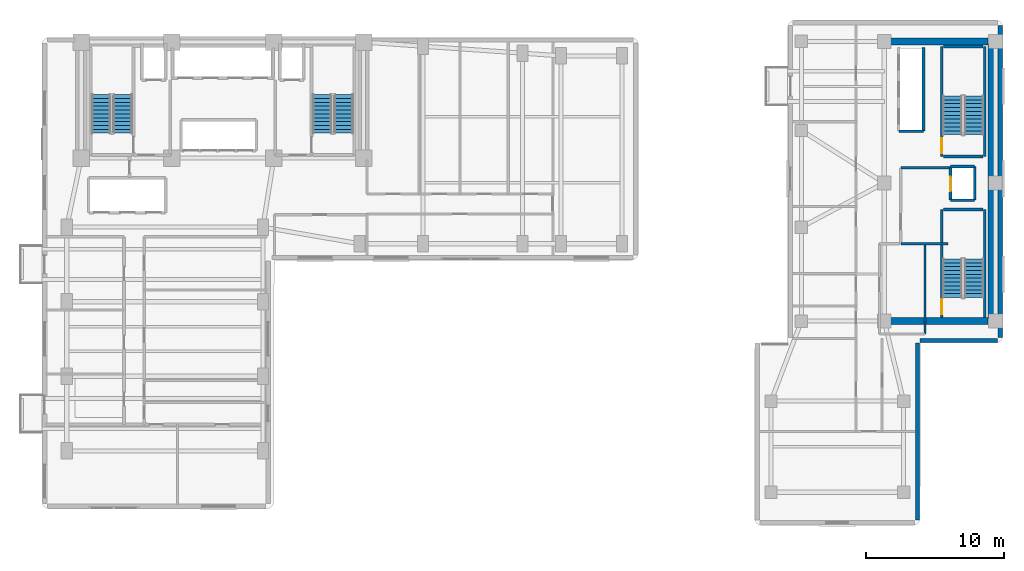
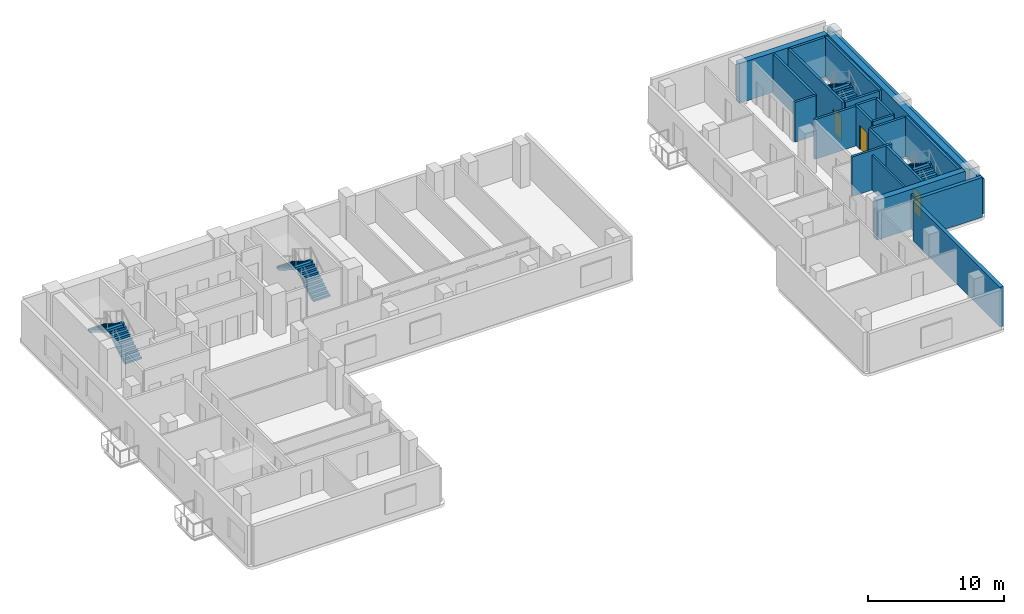
# One storey, part 12 of 16: 22 walls, 8 stair flights, 3 doors, 3 openings, 4 elements without a shape of their own.
"""IFC4 building model written with IfcOpenShell, lengths in metres."""

from ifc_helpers import new_model, si_unit, direction, frame, frame_2d, origin, place, context, subcontext, project, spatial, polyline, rectangle, outline, extrude, material, layer, layer_set, type_object, element, fill, aggregate, save


model = new_model("IFC4")

# Units and contexts
model_context = context("Model", 3, precision=1e-05, world=origin(), true_north=direction((0.0, 1.0)))
body_context = subcontext(model_context, "Body", "Model", "MODEL_VIEW")
ifc_project = project(units=[si_unit("LENGTHUNIT", "METRE"), si_unit("AREAUNIT", "SQUARE_METRE"), si_unit("VOLUMEUNIT", "CUBIC_METRE"), si_unit("PLANEANGLEUNIT", "RADIAN"), si_unit("MASSUNIT", "GRAM", prefix="KILO")], contexts=[model_context])

# Site, building, storey
site_placement = place(None, origin())
site = spatial("IfcSite", under=ifc_project, at=site_placement, CompositionType="ELEMENT")
building_placement = place(site_placement, origin())
building = spatial("IfcBuilding", under=site, at=building_placement, Name="Kuzgunbayir Cultural Tower", CompositionType="ELEMENT")
storey_placement = place(building_placement, frame((0.0, 0.0, 75.60009765625)))
storey = spatial("IfcBuildingStorey", under=building, at=storey_placement, Name="L21", CompositionType="ELEMENT", Elevation=75.60009765625)

# Walls
ifc_material_1 = material(Name="Anatolian Cream Limestone", Category="masonry")
ifc_layer_1 = layer(ifc_material_1, 0.300048828125)
ifc_layer_set_1 = layer_set([ifc_layer_1], Name="Anatolian Cream Limestone")
wall_type_1 = type_object("IfcWallType", Name="WAL-EXT-STONE-300", PredefinedType="STANDARD", material=ifc_layer_set_1)
wall_1_placement = place(storey_placement, frame((73.0, 20.800048828125, 0.0), z_axis=(0.0, 0.0, 1.0), x_axis=(0.0, 1.0, 0.0)))
element("IfcWall", 1, at=wall_1_placement, inside=storey, type_object=wall_type_1, Name="L21 Companion East Limestone Wall", PredefinedType="STANDARD", context=body_context, shape_type="SweptSolid", body=[
    extrude(rectangle(XDim=22.599853515625, YDim=0.300048828125, at=frame_2d((11.2998046875, 0.0))), origin(), (0.0, 0.0, 1.0), 3.139892578125),
])
wall_2_placement = place(storey_placement, frame((67.0, 7.60009765625, 0.0), z_axis=(0.0, 0.0, 1.0), x_axis=(0.0, 1.0, 0.0)))
element("IfcWall", 2, at=wall_2_placement, inside=storey, type_object=wall_type_1, Name="L21 Companion Wing B East Wall", PredefinedType="STANDARD", context=body_context, shape_type="SweptSolid", body=[
    extrude(rectangle(XDim=12.7998046875, YDim=0.300048828125, at=frame_2d((6.39990234375, 0.0))), origin(), (0.0, 0.0, 1.0), 3.559814453125),
])
wall_3_placement = place(storey_placement, frame((67.199951171875, 20.60009765625, 0.0), z_axis=(0.0, 0.0, 1.0), x_axis=(1.0, 0.0, 0.0)))
element("IfcWall", 3, at=wall_3_placement, inside=storey, type_object=wall_type_1, Name="L21 Companion South-East Link", PredefinedType="STANDARD", context=body_context, shape_type="SweptSolid", body=[
    extrude(rectangle(XDim=5.60009765625, YDim=0.300048828125, at=frame_2d((2.800048828125, 0.0))), origin(), (0.0, 0.0, 1.0), 3.559814453125),
])
ifc_material_2 = material(Name="Acoustic Double-Stud Drywall", Category="gypsum")
ifc_layer_2 = layer(ifc_material_2, 0.14990234375)
ifc_layer_set_2 = layer_set([ifc_layer_2], Name="Acoustic Double-Stud Drywall")
wall_type_2 = type_object("IfcWallType", Name="WAL-PART-ACOUSTIC-150", PredefinedType="PARTITIONING", material=ifc_layer_set_2)
wall_4_placement = place(storey_placement, frame((67.550048828125, 21.050048828125, 0.0), z_axis=(0.0, 0.0, 1.0), x_axis=(0.0, 1.0, 0.0)))
element("IfcWall", 4, at=wall_4_placement, inside=storey, type_object=wall_type_2, Name="L21 Companion Archive East Wall", PredefinedType="PARTITIONING", context=body_context, shape_type="SweptSolid", body=[
    extrude(rectangle(XDim=6.469970703125, YDim=0.14990234375, at=frame_2d((3.23486328125, 0.0))), origin(), (0.0, 0.0, 1.0), 3.139892578125),
])
ifc_material_3 = material(Name="Aerated Concrete Blockwork", Category="masonry")
ifc_layer_3 = layer(ifc_material_3, 0.199951171875)
ifc_layer_set_3 = layer_set([ifc_layer_3], Name="Aerated Concrete Blockwork")
wall_type_3 = type_object("IfcWallType", Name="WAL-PART-FIRE-200", PredefinedType="PARTITIONING", material=ifc_layer_set_3)
wall_5_placement = place(storey_placement, frame((65.800048828125, 33.10009765625, 0.0), z_axis=(0.0, 0.0, 1.0), x_axis=(1.0, 0.0, 0.0)))
element("IfcWall", 5, at=wall_5_placement, inside=storey, type_object=wall_type_3, Name="L21 FFL-3 Lobby North Fire Wall", PredefinedType="PARTITIONING", context=body_context, shape_type="SweptSolid", body=[
    extrude(rectangle(XDim=3.599853515625, YDim=0.199951171875, at=frame_2d((1.7998046875, 0.0))), origin(), (0.0, 0.0, 1.0), 3.559814453125),
])
wall_6_placement = place(storey_placement, frame((65.800048828125, 27.60009765625, 0.0), z_axis=(0.0, 0.0, 1.0), x_axis=(1.0, 0.0, 0.0)))
element("IfcWall", 6, at=wall_6_placement, inside=storey, type_object=wall_type_3, Name="L21 FFL-3 Lobby South Fire Wall", PredefinedType="PARTITIONING", context=body_context, shape_type="SweptSolid", body=[
    extrude(rectangle(XDim=3.39990234375, YDim=0.199951171875, at=frame_2d((1.699951171875, 0.0))), origin(), (0.0, 0.0, 1.0), 3.559814453125),
])
ifc_material_4 = material(Name="Concrete C40/50", Category="concrete")
ifc_layer_4 = layer(ifc_material_4, 0.199951171875)
ifc_layer_set_4 = layer_set([ifc_layer_4], Name="Concrete C40/50")
wall_type_4 = type_object("IfcWallType", Name="WAL-SHAFT-200", PredefinedType="MOVABLE", material=ifc_layer_set_4)
wall_7_placement = place(storey_placement, frame((67.449951171875, 35.75, 0.0), z_axis=(0.0, 0.0, 1.0), x_axis=(0.0, 1.0, 0.0)))
element("IfcWall", 7, at=wall_7_placement, inside=storey, type_object=wall_type_4, Name="L21 Companion Lift Shaft Back Wall", PredefinedType="MOVABLE", context=body_context, shape_type="SweptSolid", body=[
    extrude(rectangle(XDim=6.050048828125, YDim=0.199951171875, at=frame_2d((3.02490234375, 0.0))), origin(), (0.0, 0.0, 1.0), 3.559814453125),
])
wall_8_placement = place(storey_placement, frame((65.64990234375, 35.75, 0.0), z_axis=(0.0, 0.0, 1.0), x_axis=(1.0, 0.0, 0.0)))
element("IfcWall", 8, at=wall_8_placement, inside=storey, type_object=wall_type_4, Name="L21 Companion Lift Shaft South Wall", PredefinedType="MOVABLE", context=body_context, shape_type="SweptSolid", body=[
    extrude(rectangle(XDim=1.800048828125, YDim=0.199951171875, at=frame_2d((0.89990234375, 0.0))), origin(), (0.0, 0.0, 1.0), 3.559814453125),
])

# Wall, opening, door
wall_9_placement = place(storey_placement, frame((69.39990234375, 30.75, 0.0), z_axis=(0.0, 0.0, 1.0), x_axis=(0.0, 1.0, 0.0)))
wall_9 = element("IfcWall", 9, at=wall_9_placement, inside=storey, type_object=wall_type_4, Name="L21 FFL-3 Lift Front Wall", PredefinedType="MOVABLE", context=body_context, shape_type="SweptSolid", body=[
    extrude(rectangle(XDim=2.449951171875, YDim=0.199951171875, at=frame_2d((1.22509765625, 0.0))), origin(), (0.0, 0.0, 1.0), 3.559814453125),
])
opening_1_placement = place(wall_9_placement, frame((0.64990234375, 0.0, 0.0)))
opening_1 = element("IfcOpeningElement", 10, at=opening_1_placement, cuts=wall_9, Name="Opening LD", PredefinedType="OPENING", context=body_context, shape_type="SweptSolid", body=[
    extrude(rectangle(XDim=1.050048828125, YDim=2.14990234375, at=frame_2d((0.52490234375, 1.074951171875))), frame((0.0, 0.10986328125, 0.0), z_axis=(0.0, -1.0, 0.0), x_axis=(1.0, 0.0, 0.0)), (0.0, 0.0, 1.0), 0.219970703125),
])
ifc_material_5 = material(Name="Brushed Stainless Steel", Category="steel")
door_type_1 = type_object("IfcDoorType", Name="DR-LIFT-LANDING", OperationType="SLIDING_TO_LEFT", PredefinedType="DOOR", material=ifc_material_5)
door_1_placement = place(opening_1_placement, origin())
door_1 = element("IfcDoor", 11, at=door_1_placement, inside=storey, type_object=door_type_1, Name="L21 Lift FFL-3 Landing Door", OperationType="SLIDING_TO_LEFT", OverallHeight=2.14990234375, OverallWidth=1.050048828125, PredefinedType="DOOR", context=body_context, shape_type="SweptSolid", body=[
    extrude(rectangle(XDim=1.050048828125, YDim=2.14990234375, at=frame_2d((0.52490234375, 1.074951171875))), frame((0.0, 0.02490234375, 0.0), z_axis=(0.0, -1.0, 0.0), x_axis=(1.0, 0.0, 0.0)), (0.0, 0.0, 1.0), 0.050048828125),
])
fill(opening_1, door_1)

# Walls
wall_10_placement = place(storey_placement, frame((71.14990234375, 30.75, 0.0), z_axis=(0.0, 0.0, 1.0), x_axis=(0.0, 1.0, 0.0)))
element("IfcWall", 12, at=wall_10_placement, inside=storey, type_object=wall_type_4, Name="L21 FFL-3 Shaft Back Wall", PredefinedType="MOVABLE", context=body_context, shape_type="SweptSolid", body=[
    extrude(rectangle(XDim=2.449951171875, YDim=0.199951171875, at=frame_2d((1.22509765625, 0.0))), origin(), (0.0, 0.0, 1.0), 3.559814453125),
])
for number, where, z_axis, x_axis, name in (
    (13, (69.39990234375, 33.199951171875, 0.0), (0.0, 0.0, 1.0), (1.0, 0.0, 0.0), "L21 FFL-3 Shaft North Wall"),
    (14, (69.39990234375, 30.75, 0.0), (0.0, 0.0, 1.0), (1.0, 0.0, 0.0), "L21 FFL-3 Shaft South Wall"),
):
    element("IfcWall", number, at=place(storey_placement, frame(where, z_axis=z_axis, x_axis=x_axis)), inside=storey, type_object=wall_type_4, Name=name, PredefinedType="MOVABLE", context=body_context, shape_type="SweptSolid", body=[
        extrude(rectangle(XDim=1.75, YDim=0.199951171875, at=frame_2d((0.875, 0.0))), origin(), (0.0, 0.0, 1.0), 3.559814453125),
    ])

# Wall, opening, door
ifc_layer_5 = layer(ifc_material_4, 0.199951171875)
ifc_layer_set_5 = layer_set([ifc_layer_5], Name="Concrete C40/50")
wall_type_5 = type_object("IfcWallType", Name="WAL-STAIR-RC-200", PredefinedType="SHEAR", material=ifc_layer_set_5)
wall_11_placement = place(storey_placement, frame((68.760009765625, 22.260009765625, 0.0), z_axis=(0.0, 0.0, 1.0), x_axis=(0.0, 1.0, 0.0)))
wall_11 = element("IfcWall", 15, at=wall_11_placement, inside=storey, type_object=wall_type_5, Name="L21 Stair ST-3 West Structural Wall", PredefinedType="SHEAR", context=body_context, shape_type="SweptSolid", body=[
    extrude(rectangle(XDim=7.820068359375, YDim=0.199951171875, at=frame_2d((3.91015625, 0.0))), origin(), (0.0, 0.0, 1.0), 3.559814453125),
])
opening_2_placement = place(wall_11_placement, frame((0.219970703125, 0.0, 0.0)))
opening_2 = element("IfcOpeningElement", 16, at=opening_2_placement, cuts=wall_11, Name="Opening DR-STAIR-90", PredefinedType="OPENING", context=body_context, shape_type="SweptSolid", body=[
    extrude(rectangle(XDim=1.10009765625, YDim=2.14990234375, at=frame_2d((0.550048828125, 1.074951171875))), frame((0.0, 0.10986328125, 0.0), z_axis=(0.0, -1.0, 0.0), x_axis=(1.0, 0.0, 0.0)), (0.0, 0.0, 1.0), 0.219970703125),
])
ifc_material_6 = material(Name="Steel S355J2", Category="steel")
door_type_2 = type_object("IfcDoorType", Name="DR-STAIR-90", OperationType="NOTDEFINED", PredefinedType="DOOR", material=ifc_material_6)
door_2_placement = place(opening_2_placement, origin())
door_2 = element("IfcDoor", 17, at=door_2_placement, inside=storey, type_object=door_type_2, Name="L21 Stair ST-3 Fire Door", OperationType="SINGLE_SWING_LEFT", OverallHeight=2.14990234375, OverallWidth=1.10009765625, PredefinedType="DOOR", context=body_context, shape_type="SweptSolid", body=[
    extrude(rectangle(XDim=1.10009765625, YDim=2.14990234375, at=frame_2d((0.550048828125, 1.074951171875))), frame((0.0, 0.02490234375, 0.0), z_axis=(0.0, -1.0, 0.0), x_axis=(1.0, 0.0, 0.0)), (0.0, 0.0, 1.0), 0.050048828125),
])
fill(opening_2, door_2)

# Walls
wall_12_placement = place(storey_placement, frame((71.8798828125, 22.260009765625, 0.0), z_axis=(0.0, 0.0, 1.0), x_axis=(0.0, 1.0, 0.0)))
element("IfcWall", 18, at=wall_12_placement, inside=storey, type_object=wall_type_5, Name="L21 Stair ST-3 East Structural Wall", PredefinedType="SHEAR", context=body_context, shape_type="SweptSolid", body=[
    extrude(rectangle(XDim=7.820068359375, YDim=0.199951171875, at=frame_2d((3.91015625, 0.0))), origin(), (0.0, 0.0, 1.0), 3.559814453125),
])
wall_13_placement = place(storey_placement, frame((68.8798828125, 30.080078125, 0.0), z_axis=(0.0, 0.0, 1.0), x_axis=(1.0, 0.0, 0.0)))
element("IfcWall", 19, at=wall_13_placement, inside=storey, type_object=wall_type_5, Name="L21 Stair ST-3 North Structural Wall", PredefinedType="SHEAR", context=body_context, shape_type="SweptSolid", body=[
    extrude(rectangle(XDim=2.880126953125, YDim=0.199951171875, at=frame_2d((1.43994140625, 0.0))), origin(), (0.0, 0.0, 1.0), 3.559814453125),
])

# Wall, opening, door
wall_14_placement = place(storey_placement, frame((68.760009765625, 33.919921875, 0.0), z_axis=(0.0, 0.0, 1.0), x_axis=(0.0, 1.0, 0.0)))
wall_14 = element("IfcWall", 20, at=wall_14_placement, inside=storey, type_object=wall_type_5, Name="L21 Stair ST-4 West Structural Wall", PredefinedType="SHEAR", context=body_context, shape_type="SweptSolid", body=[
    extrude(rectangle(XDim=7.9599609375, YDim=0.199951171875, at=frame_2d((3.97998046875, 0.0))), origin(), (0.0, 0.0, 1.0), 3.559814453125),
])
opening_3_placement = place(wall_14_placement, frame((0.219970703125, 0.0, 0.0)))
opening_3 = element("IfcOpeningElement", 21, at=opening_3_placement, cuts=wall_14, Name="Opening DR-STAIR-90", PredefinedType="OPENING", context=body_context, shape_type="SweptSolid", body=[
    extrude(rectangle(XDim=1.10009765625, YDim=2.14990234375, at=frame_2d((0.550048828125, 1.074951171875))), frame((0.0, 0.10986328125, 0.0), z_axis=(0.0, -1.0, 0.0), x_axis=(1.0, 0.0, 0.0)), (0.0, 0.0, 1.0), 0.219970703125),
])
door_3_placement = place(opening_3_placement, origin())
door_3 = element("IfcDoor", 22, at=door_3_placement, inside=storey, type_object=door_type_2, Name="L21 Stair ST-4 Fire Door", OperationType="SINGLE_SWING_RIGHT", OverallHeight=2.14990234375, OverallWidth=1.10009765625, PredefinedType="DOOR", context=body_context, shape_type="SweptSolid", body=[
    extrude(rectangle(XDim=1.10009765625, YDim=2.14990234375, at=frame_2d((0.550048828125, 1.074951171875))), frame((0.0, 0.02490234375, 0.0), z_axis=(0.0, -1.0, 0.0), x_axis=(1.0, 0.0, 0.0)), (0.0, 0.0, 1.0), 0.050048828125),
])
fill(opening_3, door_3)

# Walls
wall_15_placement = place(storey_placement, frame((71.8798828125, 33.919921875, 0.0), z_axis=(0.0, 0.0, 1.0), x_axis=(0.0, 1.0, 0.0)))
element("IfcWall", 23, at=wall_15_placement, inside=storey, type_object=wall_type_5, Name="L21 Stair ST-4 East Structural Wall", PredefinedType="SHEAR", context=body_context, shape_type="SweptSolid", body=[
    extrude(rectangle(XDim=7.9599609375, YDim=0.199951171875, at=frame_2d((3.97998046875, 0.0))), origin(), (0.0, 0.0, 1.0), 3.559814453125),
])
for number, where, z_axis, x_axis, name in (
    (24, (68.8798828125, 41.8798828125, 0.0), (0.0, 0.0, 1.0), (1.0, 0.0, 0.0), "L21 Stair ST-4 North Structural Wall"),
    (25, (68.8798828125, 33.919921875, 0.0), (0.0, 0.0, 1.0), (1.0, 0.0, 0.0), "L21 Stair ST-4 South Structural Wall"),
):
    element("IfcWall", number, at=place(storey_placement, frame(where, z_axis=z_axis, x_axis=x_axis)), inside=storey, type_object=wall_type_5, Name=name, PredefinedType="SHEAR", context=body_context, shape_type="SweptSolid", body=[
        extrude(rectangle(XDim=2.880126953125, YDim=0.199951171875, at=frame_2d((1.43994140625, 0.0))), origin(), (0.0, 0.0, 1.0), 3.559814453125),
    ])
ifc_material_7 = material(Name="Concrete C60/75", Category="concrete")
ifc_layer_6 = layer(ifc_material_7, 0.5)
ifc_layer_set_6 = layer_set([ifc_layer_6], Name="Concrete C60/75")
wall_type_6 = type_object("IfcWallType", Name="WAL-T2-CORE-500", PredefinedType="SHEAR", material=ifc_layer_set_6)
wall_16_placement = place(storey_placement, frame((72.35009765625, 22.0, 0.0), z_axis=(0.0, 0.0, 1.0), x_axis=(0.0, 1.0, 0.0)))
element("IfcWall", 26, at=wall_16_placement, inside=storey, type_object=wall_type_6, Name="L21 Companion Core East Shear Wall", PredefinedType="SHEAR", context=body_context, shape_type="SweptSolid", body=[
    extrude(rectangle(XDim=20.25, YDim=0.5, at=frame_2d((10.125, 0.0))), origin(), (0.0, 0.0, 1.0), 3.559814453125),
])
for number, where, z_axis, x_axis, name in (
    (27, (64.60009765625, 42.25, 0.0), (0.0, 0.0, 1.0), (1.0, 0.0, 0.0), "L21 Companion Core North Shear Wall"),
    (28, (64.60009765625, 22.0, 0.0), (0.0, 0.0, 1.0), (1.0, 0.0, 0.0), "L21 Companion Core South Shear Wall"),
):
    element("IfcWall", number, at=place(storey_placement, frame(where, z_axis=z_axis, x_axis=x_axis)), inside=storey, type_object=wall_type_6, Name=name, PredefinedType="SHEAR", context=body_context, shape_type="SweptSolid", body=[
        extrude(rectangle(XDim=7.5, YDim=0.5, at=frame_2d((3.75, 0.0))), origin(), (0.0, 0.0, 1.0), 3.559814453125),
    ])

# Stair, stair flights
stair_type = type_object("IfcStairType", Name="STR-EXIT-CORE", PredefinedType="HALF_TURN_STAIR", material=ifc_material_4)
stair_1_placement = place(storey_placement, origin())
stair_1 = element("IfcStair", 29, at=stair_1_placement, inside=storey, type_object=stair_type, Name="L21 ST-1", PredefinedType="HALF_TURN_STAIR")
stair_flight_type = type_object("IfcStairFlightType", Name="STRF-RC-140", PredefinedType="STRAIGHT", material=ifc_material_4)
stair_flight_1_placement = place(storey_placement, frame((9.4599609375, 35.60009765625, 0.0), z_axis=(0.0, 0.0, 1.0), x_axis=(0.0, 1.0, 0.0)))
stair_flight_1 = element("IfcStairFlight", 30, at=stair_flight_1_placement, type_object=stair_flight_type, Name="ST-1 flight 1", NumberOfRisers=11, NumberOfTreads=10, PredefinedType="STRAIGHT", RiserHeight=0.172727273, TreadLength=0.28, context=body_context, shape_type="SweptSolid", body=[
    extrude(outline(polyline([(0.0, 0.0), (0.0, 0.172607421875), (0.280029296875, 0.172607421875), (0.280029296875, 0.345458984375), (0.56005859375, 0.345458984375), (0.56005859375, 0.51806640625), (0.840087890625, 0.51806640625), (0.840087890625, 0.69091796875), (1.1201171875, 0.69091796875), (1.1201171875, 0.863525390625), (1.39990234375, 0.863525390625), (1.39990234375, 1.036376953125), (1.679931640625, 1.036376953125), (1.679931640625, 1.208984375), (1.9599609375, 1.208984375), (1.9599609375, 1.3818359375), (2.239990234375, 1.3818359375), (2.239990234375, 1.554443359375), (2.52001953125, 1.554443359375), (2.52001953125, 1.727294921875), (2.800048828125, 1.727294921875), (2.800048828125, 1.89990234375), (2.800048828125, 1.515869140625), (0.3427734375, 0.0), (0.0, 0.0)])), frame((0.0, 0.699951171875, 0.0), z_axis=(0.0, -1.0, 0.0), x_axis=(1.0, 0.0, 0.0)), (0.0, 0.0, 1.0), 1.39990234375),
])
stair_flight_2_placement = place(storey_placement, frame((7.89990234375, 38.39990234375, 1.89990234375), z_axis=(0.0, 0.0, 1.0), x_axis=(0.0, -1.0, 0.0)))
stair_flight_2 = element("IfcStairFlight", 31, at=stair_flight_2_placement, type_object=stair_flight_type, Name="ST-1 flight 2", NumberOfRisers=11, NumberOfTreads=10, PredefinedType="STRAIGHT", RiserHeight=0.172727273, TreadLength=0.28, context=body_context, shape_type="SweptSolid", body=[
    extrude(outline(polyline([(0.0, 0.0), (0.0, 0.172607421875), (0.280029296875, 0.172607421875), (0.280029296875, 0.345458984375), (0.56005859375, 0.345458984375), (0.56005859375, 0.51806640625), (0.840087890625, 0.51806640625), (0.840087890625, 0.69091796875), (1.1201171875, 0.69091796875), (1.1201171875, 0.863525390625), (1.39990234375, 0.863525390625), (1.39990234375, 1.036376953125), (1.679931640625, 1.036376953125), (1.679931640625, 1.208984375), (1.9599609375, 1.208984375), (1.9599609375, 1.3818359375), (2.239990234375, 1.3818359375), (2.239990234375, 1.554443359375), (2.52001953125, 1.554443359375), (2.52001953125, 1.727294921875), (2.800048828125, 1.727294921875), (2.800048828125, 1.89990234375), (2.800048828125, 1.515869140625), (0.3427734375, 0.0), (0.0, 0.0)])), frame((0.0, 0.699951171875, 0.0), z_axis=(0.0, -1.0, 0.0), x_axis=(1.0, 0.0, 0.0)), (0.0, 0.0, 1.0), 1.39990234375),
])
aggregate(stair_1, [stair_flight_1, stair_flight_2])

stair_2_placement = place(storey_placement, origin())
stair_2 = element("IfcStair", 32, at=stair_2_placement, inside=storey, type_object=stair_type, Name="L21 ST-2", PredefinedType="HALF_TURN_STAIR")
stair_flight_3_placement = place(storey_placement, frame((25.4599609375, 35.60009765625, 0.0), z_axis=(0.0, 0.0, 1.0), x_axis=(0.0, 1.0, 0.0)))
stair_flight_3 = element("IfcStairFlight", 33, at=stair_flight_3_placement, type_object=stair_flight_type, Name="ST-2 flight 1", NumberOfRisers=11, NumberOfTreads=10, PredefinedType="STRAIGHT", RiserHeight=0.172727273, TreadLength=0.28, context=body_context, shape_type="SweptSolid", body=[
    extrude(outline(polyline([(0.0, 0.0), (0.0, 0.172607421875), (0.280029296875, 0.172607421875), (0.280029296875, 0.345458984375), (0.56005859375, 0.345458984375), (0.56005859375, 0.51806640625), (0.840087890625, 0.51806640625), (0.840087890625, 0.69091796875), (1.1201171875, 0.69091796875), (1.1201171875, 0.863525390625), (1.39990234375, 0.863525390625), (1.39990234375, 1.036376953125), (1.679931640625, 1.036376953125), (1.679931640625, 1.208984375), (1.9599609375, 1.208984375), (1.9599609375, 1.3818359375), (2.239990234375, 1.3818359375), (2.239990234375, 1.554443359375), (2.52001953125, 1.554443359375), (2.52001953125, 1.727294921875), (2.800048828125, 1.727294921875), (2.800048828125, 1.89990234375), (2.800048828125, 1.515869140625), (0.3427734375, 0.0), (0.0, 0.0)])), frame((0.0, 0.699951171875, 0.0), z_axis=(0.0, -1.0, 0.0), x_axis=(1.0, 0.0, 0.0)), (0.0, 0.0, 1.0), 1.39990234375),
])
stair_flight_4_placement = place(storey_placement, frame((23.89990234375, 38.39990234375, 1.89990234375), z_axis=(0.0, 0.0, 1.0), x_axis=(0.0, -1.0, 0.0)))
stair_flight_4 = element("IfcStairFlight", 34, at=stair_flight_4_placement, type_object=stair_flight_type, Name="ST-2 flight 2", NumberOfRisers=11, NumberOfTreads=10, PredefinedType="STRAIGHT", RiserHeight=0.172727273, TreadLength=0.28, context=body_context, shape_type="SweptSolid", body=[
    extrude(outline(polyline([(0.0, 0.0), (0.0, 0.172607421875), (0.280029296875, 0.172607421875), (0.280029296875, 0.345458984375), (0.56005859375, 0.345458984375), (0.56005859375, 0.51806640625), (0.840087890625, 0.51806640625), (0.840087890625, 0.69091796875), (1.1201171875, 0.69091796875), (1.1201171875, 0.863525390625), (1.39990234375, 0.863525390625), (1.39990234375, 1.036376953125), (1.679931640625, 1.036376953125), (1.679931640625, 1.208984375), (1.9599609375, 1.208984375), (1.9599609375, 1.3818359375), (2.239990234375, 1.3818359375), (2.239990234375, 1.554443359375), (2.52001953125, 1.554443359375), (2.52001953125, 1.727294921875), (2.800048828125, 1.727294921875), (2.800048828125, 1.89990234375), (2.800048828125, 1.515869140625), (0.3427734375, 0.0), (0.0, 0.0)])), frame((0.0, 0.699951171875, 0.0), z_axis=(0.0, -1.0, 0.0), x_axis=(1.0, 0.0, 0.0)), (0.0, 0.0, 1.0), 1.39990234375),
])
aggregate(stair_2, [stair_flight_3, stair_flight_4])

stair_3_placement = place(storey_placement, origin())
stair_3 = element("IfcStair", 35, at=stair_3_placement, inside=storey, type_object=stair_type, Name="L21 ST-3", PredefinedType="HALF_TURN_STAIR")
stair_flight_5_placement = place(storey_placement, frame((71.10009765625, 23.699951171875, 0.0), z_axis=(0.0, 0.0, 1.0), x_axis=(0.0, 1.0, 0.0)))
stair_flight_5 = element("IfcStairFlight", 36, at=stair_flight_5_placement, type_object=stair_flight_type, Name="ST-3 flight 1", NumberOfRisers=11, NumberOfTreads=10, PredefinedType="STRAIGHT", RiserHeight=0.172727273, TreadLength=0.28, context=body_context, shape_type="SweptSolid", body=[
    extrude(outline(polyline([(0.0, 0.0), (0.0, 0.172607421875), (0.280029296875, 0.172607421875), (0.280029296875, 0.345458984375), (0.56005859375, 0.345458984375), (0.56005859375, 0.51806640625), (0.840087890625, 0.51806640625), (0.840087890625, 0.69091796875), (1.1201171875, 0.69091796875), (1.1201171875, 0.863525390625), (1.39990234375, 0.863525390625), (1.39990234375, 1.036376953125), (1.679931640625, 1.036376953125), (1.679931640625, 1.208984375), (1.9599609375, 1.208984375), (1.9599609375, 1.3818359375), (2.239990234375, 1.3818359375), (2.239990234375, 1.554443359375), (2.52001953125, 1.554443359375), (2.52001953125, 1.727294921875), (2.800048828125, 1.727294921875), (2.800048828125, 1.89990234375), (2.800048828125, 1.515869140625), (0.3427734375, 0.0), (0.0, 0.0)])), frame((0.0, 0.699951171875, 0.0), z_axis=(0.0, -1.0, 0.0), x_axis=(1.0, 0.0, 0.0)), (0.0, 0.0, 1.0), 1.39990234375),
])
stair_flight_6_placement = place(storey_placement, frame((69.5400390625, 26.5, 1.89990234375), z_axis=(0.0, 0.0, 1.0), x_axis=(0.0, -1.0, 0.0)))
stair_flight_6 = element("IfcStairFlight", 37, at=stair_flight_6_placement, type_object=stair_flight_type, Name="ST-3 flight 2", NumberOfRisers=11, NumberOfTreads=10, PredefinedType="STRAIGHT", RiserHeight=0.172727273, TreadLength=0.28, context=body_context, shape_type="SweptSolid", body=[
    extrude(outline(polyline([(0.0, 0.0), (0.0, 0.172607421875), (0.280029296875, 0.172607421875), (0.280029296875, 0.345458984375), (0.56005859375, 0.345458984375), (0.56005859375, 0.51806640625), (0.840087890625, 0.51806640625), (0.840087890625, 0.69091796875), (1.1201171875, 0.69091796875), (1.1201171875, 0.863525390625), (1.39990234375, 0.863525390625), (1.39990234375, 1.036376953125), (1.679931640625, 1.036376953125), (1.679931640625, 1.208984375), (1.9599609375, 1.208984375), (1.9599609375, 1.3818359375), (2.239990234375, 1.3818359375), (2.239990234375, 1.554443359375), (2.52001953125, 1.554443359375), (2.52001953125, 1.727294921875), (2.800048828125, 1.727294921875), (2.800048828125, 1.89990234375), (2.800048828125, 1.515869140625), (0.3427734375, 0.0), (0.0, 0.0)])), frame((0.0, 0.699951171875, 0.0), z_axis=(0.0, -1.0, 0.0), x_axis=(1.0, 0.0, 0.0)), (0.0, 0.0, 1.0), 1.39990234375),
])
aggregate(stair_3, [stair_flight_5, stair_flight_6])

stair_4_placement = place(storey_placement, origin())
stair_4 = element("IfcStair", 38, at=stair_4_placement, inside=storey, type_object=stair_type, Name="L21 ST-4", PredefinedType="HALF_TURN_STAIR")
stair_flight_7_placement = place(storey_placement, frame((71.10009765625, 35.5, 0.0), z_axis=(0.0, 0.0, 1.0), x_axis=(0.0, 1.0, 0.0)))
stair_flight_7 = element("IfcStairFlight", 39, at=stair_flight_7_placement, type_object=stair_flight_type, Name="ST-4 flight 1", NumberOfRisers=11, NumberOfTreads=10, PredefinedType="STRAIGHT", RiserHeight=0.172727273, TreadLength=0.28, context=body_context, shape_type="SweptSolid", body=[
    extrude(outline(polyline([(0.0, 0.0), (0.0, 0.172607421875), (0.280029296875, 0.172607421875), (0.280029296875, 0.345458984375), (0.56005859375, 0.345458984375), (0.56005859375, 0.51806640625), (0.840087890625, 0.51806640625), (0.840087890625, 0.69091796875), (1.1201171875, 0.69091796875), (1.1201171875, 0.863525390625), (1.39990234375, 0.863525390625), (1.39990234375, 1.036376953125), (1.679931640625, 1.036376953125), (1.679931640625, 1.208984375), (1.9599609375, 1.208984375), (1.9599609375, 1.3818359375), (2.239990234375, 1.3818359375), (2.239990234375, 1.554443359375), (2.52001953125, 1.554443359375), (2.52001953125, 1.727294921875), (2.800048828125, 1.727294921875), (2.800048828125, 1.89990234375), (2.800048828125, 1.515869140625), (0.3427734375, 0.0), (0.0, 0.0)])), frame((0.0, 0.699951171875, 0.0), z_axis=(0.0, -1.0, 0.0), x_axis=(1.0, 0.0, 0.0)), (0.0, 0.0, 1.0), 1.39990234375),
])
stair_flight_8_placement = place(storey_placement, frame((69.5400390625, 38.300048828125, 1.89990234375), z_axis=(0.0, 0.0, 1.0), x_axis=(0.0, -1.0, 0.0)))
stair_flight_8 = element("IfcStairFlight", 40, at=stair_flight_8_placement, type_object=stair_flight_type, Name="ST-4 flight 2", NumberOfRisers=11, NumberOfTreads=10, PredefinedType="STRAIGHT", RiserHeight=0.172727273, TreadLength=0.28, context=body_context, shape_type="SweptSolid", body=[
    extrude(outline(polyline([(0.0, 0.0), (0.0, 0.172607421875), (0.280029296875, 0.172607421875), (0.280029296875, 0.345458984375), (0.56005859375, 0.345458984375), (0.56005859375, 0.51806640625), (0.840087890625, 0.51806640625), (0.840087890625, 0.69091796875), (1.1201171875, 0.69091796875), (1.1201171875, 0.863525390625), (1.39990234375, 0.863525390625), (1.39990234375, 1.036376953125), (1.679931640625, 1.036376953125), (1.679931640625, 1.208984375), (1.9599609375, 1.208984375), (1.9599609375, 1.3818359375), (2.239990234375, 1.3818359375), (2.239990234375, 1.554443359375), (2.52001953125, 1.554443359375), (2.52001953125, 1.727294921875), (2.800048828125, 1.727294921875), (2.800048828125, 1.89990234375), (2.800048828125, 1.515869140625), (0.3427734375, 0.0), (0.0, 0.0)])), frame((0.0, 0.699951171875, 0.0), z_axis=(0.0, -1.0, 0.0), x_axis=(1.0, 0.0, 0.0)), (0.0, 0.0, 1.0), 1.39990234375),
])
aggregate(stair_4, [stair_flight_7, stair_flight_8])

save(model, "model.ifc")
